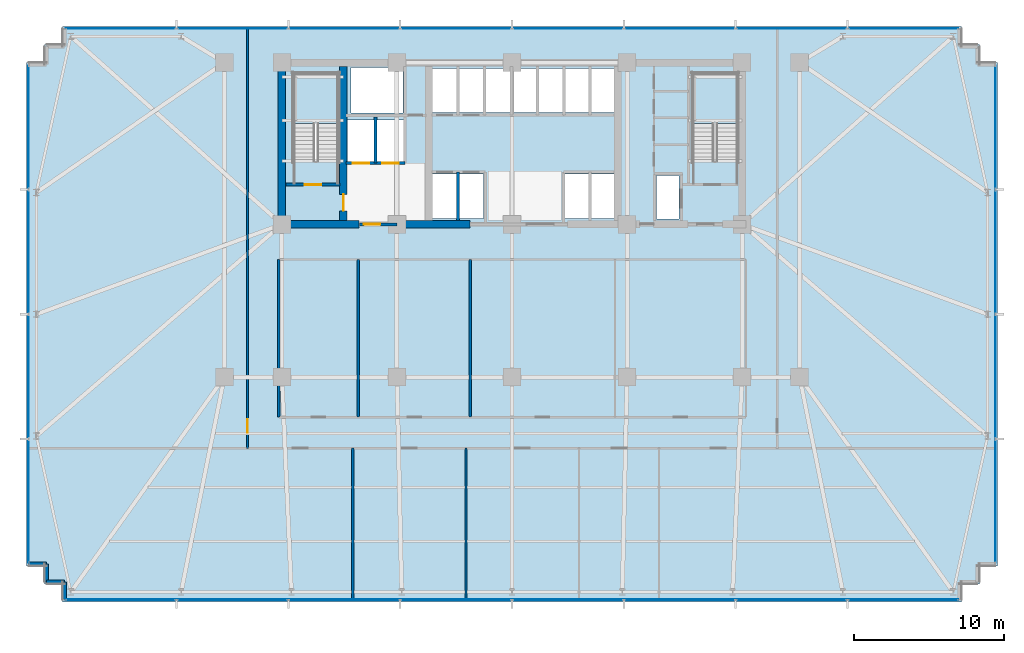
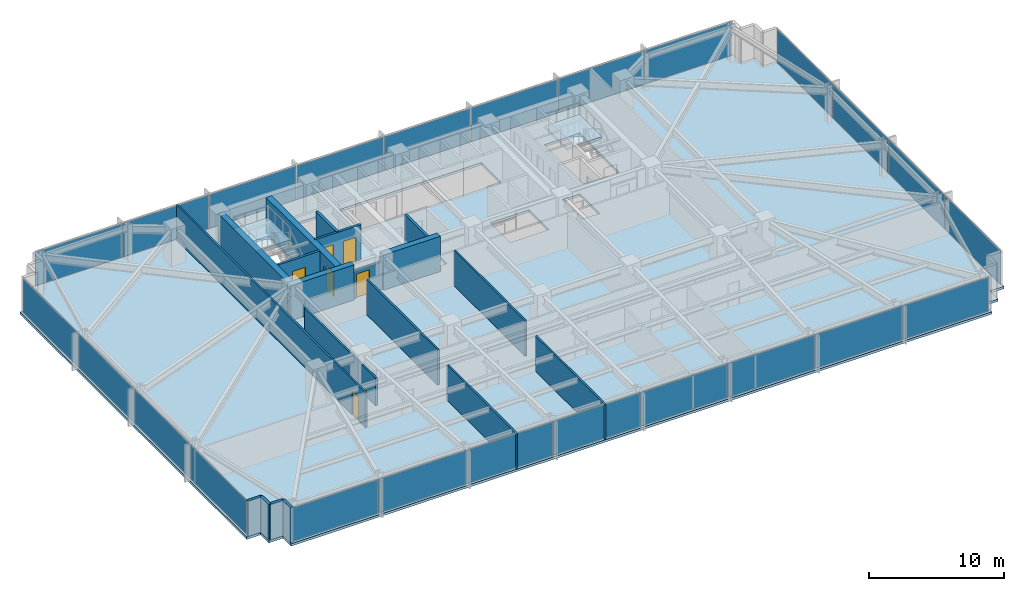
# One storey, part 24 of 33: 24 plates, 19 walls, 6 doors, 3 slabs, 6 openings, 6 elements without a shape of their own.
"""IFC4 building model written with IfcOpenShell, lengths in metres."""

from ifc_helpers import new_model, si_unit, direction, frame, frame_2d, origin, origin_2d, place, context, subcontext, project, spatial, polyline, rectangle, outline, extrude, material, layer, layer_set, type_object, element, fill, aggregate, save


model = new_model("IFC4")

# Units and contexts
model_context = context("Model", 3, precision=1e-05, world=origin(), true_north=direction((0.0, 1.0)))
body_context = subcontext(model_context, "Body", "Model", "MODEL_VIEW")
ifc_project = project(units=[si_unit("LENGTHUNIT", "METRE"), si_unit("AREAUNIT", "SQUARE_METRE"), si_unit("VOLUMEUNIT", "CUBIC_METRE"), si_unit("PLANEANGLEUNIT", "RADIAN"), si_unit("MASSUNIT", "GRAM", prefix="KILO")], contexts=[model_context])

# Site, building, storey
site_placement = place(None, origin())
site = spatial("IfcSite", under=ifc_project, at=site_placement, CompositionType="ELEMENT")
building_placement = place(site_placement, origin())
building = spatial("IfcBuilding", under=site, at=building_placement, Name="Yelkora Congress Tower", CompositionType="ELEMENT")
storey_placement = place(building_placement, frame((0.0, 0.0, 71.199951171875)))
storey = spatial("IfcBuildingStorey", under=building, at=storey_placement, Name="L18", CompositionType="ELEMENT", Elevation=71.199951171875)

# Curtain wall, plates
ifc_material_1 = material(Name="Anodised aluminium and insulated glass", Category="aluminium")
curtain_wall_type = type_object("IfcCurtainWallType", Name="CW-SYS-B1", PredefinedType="NOTDEFINED", material=ifc_material_1)
curtain_wall_1_placement = place(storey_placement, origin())
curtain_wall_1 = element("IfcCurtainWall", 1, at=curtain_wall_1_placement, inside=storey, type_object=curtain_wall_type, Name="L18 Unitised Curtain Wall 5", PredefinedType="NOTDEFINED")
ifc_material_2 = material(Name="Solar-control low-E glass unit B1", Category="glass")
ifc_layer_1 = layer(ifc_material_2, 0.0400390625)
ifc_layer_set_1 = layer_set([ifc_layer_1], Name="Solar-control low-E glass unit B1")
plate_type = type_object("IfcPlateType", Name="PLT-PN-B1", PredefinedType="CURTAIN_PANEL", material=ifc_layer_set_1)
plate_1_placement = place(storey_placement, frame((6.139892578125, 16.923828125, 0.06494140625), z_axis=(0.0, 0.0, 1.0), x_axis=(0.0, 1.0, 0.0)))
plate_1 = element("IfcPlate", 2, at=plate_1_placement, type_object=plate_type, Name="CW-B1 panel 1.1", PredefinedType="CURTAIN_PANEL", context=body_context, shape_type="SweptSolid", body=[
    extrude(rectangle(XDim=8.217529296875, YDim=0.0400390625, at=origin_2d()), origin(), (0.0, 0.0, 1.0), 3.050048828125),
])
plate_2_placement = place(storey_placement, frame((6.139892578125, 25.235107421875, 0.06494140625), z_axis=(0.0, 0.0, 1.0), x_axis=(0.0, 1.0, 0.0)))
plate_2 = element("IfcPlate", 3, at=plate_2_placement, type_object=plate_type, Name="CW-B1 panel 2.1", PredefinedType="CURTAIN_PANEL", context=body_context, shape_type="SweptSolid", body=[
    extrude(rectangle(XDim=8.2548828125, YDim=0.0400390625, at=origin_2d()), origin(), (0.0, 0.0, 1.0), 3.050048828125),
])
plate_3_placement = place(storey_placement, frame((6.139892578125, 33.56494140625, 0.06494140625), z_axis=(0.0, 0.0, 1.0), x_axis=(0.0, 1.0, 0.0)))
plate_3 = element("IfcPlate", 4, at=plate_3_placement, type_object=plate_type, Name="CW-B1 panel 3.1", PredefinedType="CURTAIN_PANEL", context=body_context, shape_type="SweptSolid", body=[
    extrude(rectangle(XDim=8.2548828125, YDim=0.0400390625, at=origin_2d()), origin(), (0.0, 0.0, 1.0), 3.050048828125),
])
plate_4_placement = place(storey_placement, frame((6.139892578125, 41.876220703125, 0.06494140625), z_axis=(0.0, 0.0, 1.0), x_axis=(0.0, 1.0, 0.0)))
plate_4 = element("IfcPlate", 5, at=plate_4_placement, type_object=plate_type, Name="CW-B1 panel 4.1", PredefinedType="CURTAIN_PANEL", context=body_context, shape_type="SweptSolid", body=[
    extrude(rectangle(XDim=8.217529296875, YDim=0.0400390625, at=origin_2d()), origin(), (0.0, 0.0, 1.0), 3.050048828125),
])
aggregate(curtain_wall_1, [plate_1, plate_2, plate_3, plate_4])

curtain_wall_2_placement = place(storey_placement, origin())
curtain_wall_2 = element("IfcCurtainWall", 6, at=curtain_wall_2_placement, inside=storey, type_object=curtain_wall_type, Name="L18 Unitised Curtain Wall 10", PredefinedType="NOTDEFINED")
plate_5_placement = place(storey_placement, frame((12.291259765625, 48.4599609375, 0.06494140625), z_axis=(0.0, 0.0, 1.0), x_axis=(1.0, 0.0, 0.0)))
plate_5 = element("IfcPlate", 7, at=plate_5_placement, type_object=plate_type, Name="CW-B1 panel 1.1", PredefinedType="CURTAIN_PANEL", context=body_context, shape_type="SweptSolid", body=[
    extrude(rectangle(XDim=7.3525390625, YDim=0.0400390625, at=origin_2d()), origin(), (0.0, 0.0, 1.0), 3.050048828125),
])
plate_6_placement = place(storey_placement, frame((19.737548828125, 48.4599609375, 0.06494140625), z_axis=(0.0, 0.0, 1.0), x_axis=(1.0, 0.0, 0.0)))
plate_6 = element("IfcPlate", 8, at=plate_6_placement, type_object=plate_type, Name="CW-B1 panel 2.1", PredefinedType="CURTAIN_PANEL", context=body_context, shape_type="SweptSolid", body=[
    extrude(rectangle(XDim=7.389892578125, YDim=0.0400390625, at=origin_2d()), origin(), (0.0, 0.0, 1.0), 3.050048828125),
])
plate_7_placement = place(storey_placement, frame((27.202392578125, 48.4599609375, 0.06494140625), z_axis=(0.0, 0.0, 1.0), x_axis=(1.0, 0.0, 0.0)))
plate_7 = element("IfcPlate", 9, at=plate_7_placement, type_object=plate_type, Name="CW-B1 panel 3.1", PredefinedType="CURTAIN_PANEL", context=body_context, shape_type="SweptSolid", body=[
    extrude(rectangle(XDim=7.389892578125, YDim=0.0400390625, at=origin_2d()), origin(), (0.0, 0.0, 1.0), 3.050048828125),
])
plate_8_placement = place(storey_placement, frame((34.66748046875, 48.4599609375, 0.06494140625), z_axis=(0.0, 0.0, 1.0), x_axis=(1.0, 0.0, 0.0)))
plate_8 = element("IfcPlate", 10, at=plate_8_placement, type_object=plate_type, Name="CW-B1 panel 4.1", PredefinedType="CURTAIN_PANEL", context=body_context, shape_type="SweptSolid", body=[
    extrude(rectangle(XDim=7.389892578125, YDim=0.0400390625, at=origin_2d()), origin(), (0.0, 0.0, 1.0), 3.050048828125),
])
plate_9_placement = place(storey_placement, frame((42.132568359375, 48.4599609375, 0.06494140625), z_axis=(0.0, 0.0, 1.0), x_axis=(1.0, 0.0, 0.0)))
plate_9 = element("IfcPlate", 11, at=plate_9_placement, type_object=plate_type, Name="CW-B1 panel 5.1", PredefinedType="CURTAIN_PANEL", context=body_context, shape_type="SweptSolid", body=[
    extrude(rectangle(XDim=7.389892578125, YDim=0.0400390625, at=origin_2d()), origin(), (0.0, 0.0, 1.0), 3.050048828125),
])
plate_10_placement = place(storey_placement, frame((49.597412109375, 48.4599609375, 0.06494140625), z_axis=(0.0, 0.0, 1.0), x_axis=(1.0, 0.0, 0.0)))
plate_10 = element("IfcPlate", 12, at=plate_10_placement, type_object=plate_type, Name="CW-B1 panel 6.1", PredefinedType="CURTAIN_PANEL", context=body_context, shape_type="SweptSolid", body=[
    extrude(rectangle(XDim=7.389892578125, YDim=0.0400390625, at=origin_2d()), origin(), (0.0, 0.0, 1.0), 3.050048828125),
])
plate_11_placement = place(storey_placement, frame((57.0625, 48.4599609375, 0.06494140625), z_axis=(0.0, 0.0, 1.0), x_axis=(1.0, 0.0, 0.0)))
plate_11 = element("IfcPlate", 13, at=plate_11_placement, type_object=plate_type, Name="CW-B1 panel 7.1", PredefinedType="CURTAIN_PANEL", context=body_context, shape_type="SweptSolid", body=[
    extrude(rectangle(XDim=7.389892578125, YDim=0.0400390625, at=origin_2d()), origin(), (0.0, 0.0, 1.0), 3.050048828125),
])
plate_12_placement = place(storey_placement, frame((64.5087890625, 48.4599609375, 0.06494140625), z_axis=(0.0, 0.0, 1.0), x_axis=(1.0, 0.0, 0.0)))
plate_12 = element("IfcPlate", 14, at=plate_12_placement, type_object=plate_type, Name="CW-B1 panel 8.1", PredefinedType="CURTAIN_PANEL", context=body_context, shape_type="SweptSolid", body=[
    extrude(rectangle(XDim=7.3525390625, YDim=0.0400390625, at=origin_2d()), origin(), (0.0, 0.0, 1.0), 3.050048828125),
])
aggregate(curtain_wall_2, [plate_5, plate_6, plate_7, plate_8, plate_9, plate_10, plate_11, plate_12])

curtain_wall_3_placement = place(storey_placement, origin())
curtain_wall_3 = element("IfcCurtainWall", 15, at=curtain_wall_3_placement, inside=storey, type_object=curtain_wall_type, Name="L18 Unitised Curtain Wall 15", PredefinedType="NOTDEFINED")
plate_13_placement = place(storey_placement, frame((70.659912109375, 41.876220703125, 0.06494140625), z_axis=(0.0, 0.0, 1.0), x_axis=(0.0, -1.0, 0.0)))
plate_13 = element("IfcPlate", 16, at=plate_13_placement, type_object=plate_type, Name="CW-B1 panel 1.1", PredefinedType="CURTAIN_PANEL", context=body_context, shape_type="SweptSolid", body=[
    extrude(rectangle(XDim=8.217529296875, YDim=0.0400390625, at=origin_2d()), origin(), (0.0, 0.0, 1.0), 3.050048828125),
])
plate_14_placement = place(storey_placement, frame((70.659912109375, 33.56494140625, 0.06494140625), z_axis=(0.0, 0.0, 1.0), x_axis=(0.0, -1.0, 0.0)))
plate_14 = element("IfcPlate", 17, at=plate_14_placement, type_object=plate_type, Name="CW-B1 panel 2.1", PredefinedType="CURTAIN_PANEL", context=body_context, shape_type="SweptSolid", body=[
    extrude(rectangle(XDim=8.2548828125, YDim=0.0400390625, at=origin_2d()), origin(), (0.0, 0.0, 1.0), 3.050048828125),
])
plate_15_placement = place(storey_placement, frame((70.659912109375, 25.235107421875, 0.06494140625), z_axis=(0.0, 0.0, 1.0), x_axis=(0.0, -1.0, 0.0)))
plate_15 = element("IfcPlate", 18, at=plate_15_placement, type_object=plate_type, Name="CW-B1 panel 3.1", PredefinedType="CURTAIN_PANEL", context=body_context, shape_type="SweptSolid", body=[
    extrude(rectangle(XDim=8.2548828125, YDim=0.0400390625, at=origin_2d()), origin(), (0.0, 0.0, 1.0), 3.050048828125),
])
plate_16_placement = place(storey_placement, frame((70.659912109375, 16.923828125, 0.06494140625), z_axis=(0.0, 0.0, 1.0), x_axis=(0.0, -1.0, 0.0)))
plate_16 = element("IfcPlate", 19, at=plate_16_placement, type_object=plate_type, Name="CW-B1 panel 4.1", PredefinedType="CURTAIN_PANEL", context=body_context, shape_type="SweptSolid", body=[
    extrude(rectangle(XDim=8.217529296875, YDim=0.0400390625, at=origin_2d()), origin(), (0.0, 0.0, 1.0), 3.050048828125),
])
aggregate(curtain_wall_3, [plate_13, plate_14, plate_15, plate_16])

curtain_wall_4_placement = place(storey_placement, origin())
curtain_wall_4 = element("IfcCurtainWall", 20, at=curtain_wall_4_placement, inside=storey, type_object=curtain_wall_type, Name="L18 Unitised Curtain Wall 20", PredefinedType="NOTDEFINED")
plate_17_placement = place(storey_placement, frame((64.5087890625, 10.340087890625, 0.06494140625), z_axis=(0.0, 0.0, 1.0), x_axis=(-1.0, 0.0, 0.0)))
plate_17 = element("IfcPlate", 21, at=plate_17_placement, type_object=plate_type, Name="CW-B1 panel 1.1", PredefinedType="CURTAIN_PANEL", context=body_context, shape_type="SweptSolid", body=[
    extrude(rectangle(XDim=7.3525390625, YDim=0.0400390625, at=origin_2d()), origin(), (0.0, 0.0, 1.0), 3.050048828125),
])
plate_18_placement = place(storey_placement, frame((57.0625, 10.340087890625, 0.06494140625), z_axis=(0.0, 0.0, 1.0), x_axis=(-1.0, 0.0, 0.0)))
plate_18 = element("IfcPlate", 22, at=plate_18_placement, type_object=plate_type, Name="CW-B1 panel 2.1", PredefinedType="CURTAIN_PANEL", context=body_context, shape_type="SweptSolid", body=[
    extrude(rectangle(XDim=7.389892578125, YDim=0.0400390625, at=origin_2d()), origin(), (0.0, 0.0, 1.0), 3.050048828125),
])
plate_19_placement = place(storey_placement, frame((49.597412109375, 10.340087890625, 0.06494140625), z_axis=(0.0, 0.0, 1.0), x_axis=(-1.0, 0.0, 0.0)))
plate_19 = element("IfcPlate", 23, at=plate_19_placement, type_object=plate_type, Name="CW-B1 panel 3.1", PredefinedType="CURTAIN_PANEL", context=body_context, shape_type="SweptSolid", body=[
    extrude(rectangle(XDim=7.389892578125, YDim=0.0400390625, at=origin_2d()), origin(), (0.0, 0.0, 1.0), 3.050048828125),
])
plate_20_placement = place(storey_placement, frame((42.132568359375, 10.340087890625, 0.06494140625), z_axis=(0.0, 0.0, 1.0), x_axis=(-1.0, 0.0, 0.0)))
plate_20 = element("IfcPlate", 24, at=plate_20_placement, type_object=plate_type, Name="CW-B1 panel 4.1", PredefinedType="CURTAIN_PANEL", context=body_context, shape_type="SweptSolid", body=[
    extrude(rectangle(XDim=7.389892578125, YDim=0.0400390625, at=origin_2d()), origin(), (0.0, 0.0, 1.0), 3.050048828125),
])
plate_21_placement = place(storey_placement, frame((34.66748046875, 10.340087890625, 0.06494140625), z_axis=(0.0, 0.0, 1.0), x_axis=(-1.0, 0.0, 0.0)))
plate_21 = element("IfcPlate", 25, at=plate_21_placement, type_object=plate_type, Name="CW-B1 panel 5.1", PredefinedType="CURTAIN_PANEL", context=body_context, shape_type="SweptSolid", body=[
    extrude(rectangle(XDim=7.389892578125, YDim=0.0400390625, at=origin_2d()), origin(), (0.0, 0.0, 1.0), 3.050048828125),
])
plate_22_placement = place(storey_placement, frame((27.202392578125, 10.340087890625, 0.06494140625), z_axis=(0.0, 0.0, 1.0), x_axis=(-1.0, 0.0, 0.0)))
plate_22 = element("IfcPlate", 26, at=plate_22_placement, type_object=plate_type, Name="CW-B1 panel 6.1", PredefinedType="CURTAIN_PANEL", context=body_context, shape_type="SweptSolid", body=[
    extrude(rectangle(XDim=7.389892578125, YDim=0.0400390625, at=origin_2d()), origin(), (0.0, 0.0, 1.0), 3.050048828125),
])
plate_23_placement = place(storey_placement, frame((19.737548828125, 10.340087890625, 0.06494140625), z_axis=(0.0, 0.0, 1.0), x_axis=(-1.0, 0.0, 0.0)))
plate_23 = element("IfcPlate", 27, at=plate_23_placement, type_object=plate_type, Name="CW-B1 panel 7.1", PredefinedType="CURTAIN_PANEL", context=body_context, shape_type="SweptSolid", body=[
    extrude(rectangle(XDim=7.389892578125, YDim=0.0400390625, at=origin_2d()), origin(), (0.0, 0.0, 1.0), 3.050048828125),
])
plate_24_placement = place(storey_placement, frame((12.291259765625, 10.340087890625, 0.06494140625), z_axis=(0.0, 0.0, 1.0), x_axis=(-1.0, 0.0, 0.0)))
plate_24 = element("IfcPlate", 28, at=plate_24_placement, type_object=plate_type, Name="CW-B1 panel 8.1", PredefinedType="CURTAIN_PANEL", context=body_context, shape_type="SweptSolid", body=[
    extrude(rectangle(XDim=7.3525390625, YDim=0.0400390625, at=origin_2d()), origin(), (0.0, 0.0, 1.0), 3.050048828125),
])
aggregate(curtain_wall_4, [plate_17, plate_18, plate_19, plate_20, plate_21, plate_22, plate_23, plate_24])

# Stair, slab
ifc_material_3 = material(Name="Concrete C40/50", Category="concrete")
stair_type = type_object("IfcStairType", Name="STAIR-HT-1420-R20-170", PredefinedType="HALF_TURN_STAIR", material=ifc_material_3)
stair_1_placement = place(storey_placement, origin())
stair_1 = element("IfcStair", 29, at=stair_1_placement, inside=storey, type_object=stair_type, Name="West Core Protected Exit Stair ST-01 (L18)", PredefinedType="HALF_TURN_STAIR")
ifc_layer_2 = layer(ifc_material_3, 0.219970703125)
ifc_layer_set_2 = layer_set([ifc_layer_2], Name="Concrete C40/50")
slab_type_1 = type_object("IfcSlabType", Name="SLAB-LANDING-220", PredefinedType="LANDING", material=ifc_layer_set_2)
slab_1_placement = place(storey_placement, frame((0.0, 0.0, 1.47998046875)))
slab_1 = element("IfcSlab", 30, at=slab_1_placement, type_object=slab_type_1, Name="ST-01 L18 Half Landing 1", PredefinedType="LANDING", context=body_context, shape_type="SweptSolid", body=[
    extrude(outline(polyline([(26.820068359375, 42.1201171875), (26.820068359375, 45.469970703125), (23.820068359375, 45.469970703125), (23.820068359375, 42.1201171875), (26.820068359375, 42.1201171875)])), origin(), (0.0, 0.0, 1.0), 0.219970703125),
])
aggregate(stair_1, [slab_1])

stair_2_placement = place(storey_placement, origin())
stair_2 = element("IfcStair", 31, at=stair_2_placement, inside=storey, type_object=stair_type, Name="East Core Protected Exit Stair ST-02 (L18)", PredefinedType="HALF_TURN_STAIR")
slab_2_placement = place(storey_placement, frame((0.0, 0.0, 1.47998046875)))
slab_2 = element("IfcSlab", 32, at=slab_2_placement, type_object=slab_type_1, Name="ST-02 L18 Half Landing 1", PredefinedType="LANDING", context=body_context, shape_type="SweptSolid", body=[
    extrude(outline(polyline([(53.4599609375, 42.1201171875), (53.4599609375, 45.469970703125), (50.4599609375, 45.469970703125), (50.4599609375, 42.1201171875), (53.4599609375, 42.1201171875)])), origin(), (0.0, 0.0, 1.0), 0.219970703125),
])
aggregate(stair_2, [slab_2])

# Slab
ifc_layer_3 = layer(ifc_material_3, 0.219970703125)
ifc_layer_set_3 = layer_set([ifc_layer_3], Name="Concrete C40/50")
slab_type_2 = type_object("IfcSlabType", Name="SLAB-TWR-220", PredefinedType="FLOOR", material=ifc_layer_set_3)
slab_3_placement = place(storey_placement, frame((0.0, 0.0, -0.219970703125)))
element("IfcSlab", 33, at=slab_3_placement, inside=storey, type_object=slab_type_2, Name="L18 Structural Floor Slab", PredefinedType="FLOOR", context=body_context, shape_type="SweptSolid", body=[
    extrude(outline(polyline([(8.39990234375, 10.199951171875), (68.39990234375, 10.199951171875), (68.39990234375, 11.39990234375), (69.60009765625, 11.39990234375), (69.60009765625, 12.60009765625), (70.800048828125, 12.60009765625), (70.800048828125, 46.199951171875), (69.60009765625, 46.199951171875), (69.60009765625, 47.39990234375), (68.39990234375, 47.39990234375), (68.39990234375, 48.60009765625), (8.39990234375, 48.60009765625), (8.39990234375, 47.39990234375), (7.199951171875, 47.39990234375), (7.199951171875, 46.199951171875), (6.0, 46.199951171875), (6.0, 12.60009765625), (7.199951171875, 12.60009765625), (7.199951171875, 11.39990234375), (8.39990234375, 11.39990234375), (8.39990234375, 10.199951171875)]), holes=[polyline([(23.820068359375, 39.6298828125), (26.820068359375, 39.6298828125), (26.820068359375, 45.469970703125), (23.820068359375, 45.469970703125), (23.820068359375, 39.6298828125)]), polyline([(50.4599609375, 39.6298828125), (53.4599609375, 39.6298828125), (53.4599609375, 45.469970703125), (50.4599609375, 45.469970703125), (50.4599609375, 39.6298828125)]), polyline([(48.050048828125, 35.75), (49.550048828125, 35.75), (49.550048828125, 38.64990234375), (48.050048828125, 38.64990234375), (48.050048828125, 35.75)]), polyline([(41.949951171875, 35.800048828125), (45.25, 35.800048828125), (45.25, 38.75), (41.949951171875, 38.75), (41.949951171875, 35.800048828125)]), polyline([(33.10009765625, 42.85009765625), (45.25, 42.85009765625), (45.25, 45.800048828125), (33.10009765625, 45.800048828125), (33.10009765625, 42.85009765625)]), polyline([(33.10009765625, 35.800048828125), (36.5, 35.800048828125), (36.5, 38.75), (33.10009765625, 38.75), (33.10009765625, 35.800048828125)]), polyline([(27.419921875, 39.60009765625), (31.179931640625, 39.60009765625), (31.179931640625, 42.35009765625), (27.419921875, 42.35009765625), (27.419921875, 39.60009765625)]), polyline([(27.64990234375, 42.820068359375), (31.1201171875, 42.820068359375), (31.1201171875, 45.8798828125), (27.64990234375, 45.8798828125), (27.64990234375, 42.820068359375)])]), origin(), (0.0, 0.0, 1.0), 0.219970703125),
])

# Walls
ifc_material_4 = material(Name="Concrete C60/75", Category="concrete")
ifc_layer_4 = layer(ifc_material_4, 0.5)
ifc_layer_set_4 = layer_set([ifc_layer_4], Name="Concrete C60/75")
wall_type_1 = type_object("IfcWallType", Name="WALL-CORE-INT-500", PredefinedType="SHEAR", material=ifc_layer_set_4)
wall_1_placement = place(storey_placement, frame((22.7900390625, 35.39990234375, 0.0), z_axis=(0.0, 0.0, 1.0), x_axis=(1.0, 0.0, 0.0)))
element("IfcWall", 34, at=wall_1_placement, inside=storey, type_object=wall_type_1, Name="L18 Rear Core South-West Shear Wall", PredefinedType="SHEAR", context=body_context, shape_type="SweptSolid", body=[
    extrude(rectangle(XDim=5.409912109375, YDim=0.5, at=frame_2d((2.705078125, 0.0))), origin(), (0.0, 0.0, 1.0), 3.179931640625),
])
wall_2_placement = place(storey_placement, frame((30.719970703125, 35.39990234375, 0.0), z_axis=(0.0, 0.0, 1.0), x_axis=(1.0, 0.0, 0.0)))
element("IfcWall", 35, at=wall_2_placement, inside=storey, type_object=wall_type_1, Name="L18 Rear Core South-Center Shear Pier", PredefinedType="SHEAR", context=body_context, shape_type="SweptSolid", body=[
    extrude(rectangle(XDim=4.880126953125, YDim=0.5, at=frame_2d((2.43994140625, 0.0))), origin(), (0.0, 0.0, 1.0), 3.179931640625),
])
wall_3_placement = place(storey_placement, frame((23.0400390625, 35.64990234375, 0.0), z_axis=(0.0, 0.0, 1.0), x_axis=(0.0, 1.0, 0.0)))
element("IfcWall", 36, at=wall_3_placement, inside=storey, type_object=wall_type_1, Name="L18 Rear Core Cross Shear Wall W", PredefinedType="SHEAR", context=body_context, shape_type="SweptSolid", body=[
    extrude(rectangle(XDim=10.300048828125, YDim=0.5, at=frame_2d((5.14990234375, 0.0))), origin(), (0.0, 0.0, 1.0), 3.179931640625),
])

# Wall, opening, door
wall_4_placement = place(storey_placement, frame((27.14990234375, 35.64990234375, 0.0), z_axis=(0.0, 0.0, 1.0), x_axis=(0.0, 1.0, 0.0)))
wall_4 = element("IfcWall", 37, at=wall_4_placement, inside=storey, type_object=wall_type_1, Name="L18 Rear Core Cross Shear Wall C1", PredefinedType="SHEAR", context=body_context, shape_type="SweptSolid", body=[
    extrude(rectangle(XDim=10.300048828125, YDim=0.5, at=frame_2d((5.14990234375, 0.0))), origin(), (0.0, 0.0, 1.0), 3.179931640625),
])
opening_1_placement = place(wall_4_placement, frame((0.64990234375, 0.0, 0.0)))
opening_1 = element("IfcOpeningElement", 38, at=opening_1_placement, cuts=wall_4, Name="Opening DR-110F9", PredefinedType="OPENING", context=body_context, shape_type="SweptSolid", body=[
    extrude(rectangle(XDim=1.10009765625, YDim=2.14990234375, at=frame_2d((0.550048828125, 1.074951171875))), frame((0.0, 0.260009765625, 0.0), z_axis=(0.0, -1.0, 0.0), x_axis=(1.0, 0.0, 0.0)), (0.0, 0.0, 1.0), 0.52001953125),
])
ifc_material_5 = material(Name="Galvanised steel fire door leaf", Category="steel")
door_type_1 = type_object("IfcDoorType", Name="DOOR-FD90-1100", OperationType="NOTDEFINED", PredefinedType="DOOR", material=ifc_material_5)
door_1_placement = place(opening_1_placement, origin())
door_1 = element("IfcDoor", 39, at=door_1_placement, inside=storey, type_object=door_type_1, Name="L18 Firefighting Stair Transfer Door", OperationType="SINGLE_SWING_LEFT", OverallHeight=2.14990234375, OverallWidth=1.10009765625, PredefinedType="DOOR", context=body_context, shape_type="SweptSolid", body=[
    extrude(rectangle(XDim=1.10009765625, YDim=2.14990234375, at=frame_2d((0.550048828125, 1.074951171875))), frame((0.0, 0.02490234375, 0.0), z_axis=(0.0, -1.0, 0.0), x_axis=(1.0, 0.0, 0.0)), (0.0, 0.0, 1.0), 0.050048828125),
])
fill(opening_1, door_1)

# Walls
ifc_layer_5 = layer(ifc_material_3, 0.239990234375)
ifc_layer_set_5 = layer_set([ifc_layer_5], Name="Concrete C40/50")
wall_type_2 = type_object("IfcWallType", Name="WALL-EXT-LIMESTONE-240", PredefinedType="SOLIDWALL", material=ifc_layer_set_5)
for number, where, z_axis, x_axis, name in (
    (40, (8.5400390625, 10.340087890625, 0.0), (0.0, 0.0, 1.0), (0.0, 1.0, 0.0), "L18 Serrated Corner Limestone Pier 1"),
    (41, (8.5400390625, 11.5400390625, 0.0), (0.0, 0.0, 1.0), (-1.0, 0.0, 0.0), "L18 Serrated Corner Limestone Pier 2"),
    (42, (7.340087890625, 11.5400390625, 0.0), (0.0, 0.0, 1.0), (0.0, 1.0, 0.0), "L18 Serrated Corner Limestone Pier 3"),
):
    element("IfcWall", number, at=place(storey_placement, frame(where, z_axis=z_axis, x_axis=x_axis)), inside=storey, type_object=wall_type_2, Name=name, PredefinedType="SOLIDWALL", context=body_context, shape_type="SweptSolid", body=[
        extrude(rectangle(XDim=1.199951171875, YDim=0.239990234375, at=frame_2d((0.60009765625, 0.0))), origin(), (0.0, 0.0, 1.0), 3.179931640625),
    ])
wall_5_placement = place(storey_placement, frame((7.340087890625, 12.739990234375, 0.0), z_axis=(0.0, 0.0, 1.0), x_axis=(-1.0, 0.0, 0.0)))
element("IfcWall", 43, at=wall_5_placement, inside=storey, type_object=wall_type_2, Name="L18 Serrated Corner Limestone Pier 4", PredefinedType="SOLIDWALL", context=body_context, shape_type="SweptSolid", body=[
    extrude(rectangle(XDim=1.2001953125, YDim=0.239990234375, at=frame_2d((0.60009765625, 0.0))), origin(), (0.0, 0.0, 1.0), 3.179931640625),
])
ifc_material_6 = material(Name="Acoustic metal-stud gypsum partition", Category="gypsum")
ifc_layer_6 = layer(ifc_material_6, 0.14990234375)
ifc_layer_set_6 = layer_set([ifc_layer_6], Name="Acoustic metal-stud gypsum partition")
wall_type_3 = type_object("IfcWallType", Name="WALL-INT-150-NR", PredefinedType="PARTITIONING", material=ifc_layer_set_6)
for number, where, z_axis, x_axis, name in (
    (44, (27.77587890625, 10.280029296875, 0.0), (0.0, 0.0, 1.0), (0.0, 1.0, 0.0), "L18 Partition Wall 32"),
    (45, (35.323974609375, 10.280029296875, 0.0), (0.0, 0.0, 1.0), (0.0, 1.0, 0.0), "L18 Partition Wall 33"),
):
    element("IfcWall", number, at=place(storey_placement, frame(where, z_axis=z_axis, x_axis=x_axis)), inside=storey, type_object=wall_type_3, Name=name, PredefinedType="PARTITIONING", context=body_context, shape_type="SweptSolid", body=[
        extrude(rectangle(XDim=10.18994140625, YDim=0.14990234375, at=frame_2d((5.094970703125, 0.0))), origin(), (0.0, 0.0, 1.0), 3.179931640625),
    ])

# Wall, opening, door
wall_6_placement = place(storey_placement, frame((20.75, 20.449951171875, 0.0), z_axis=(0.0, 0.0, 1.0), x_axis=(0.0, 1.0, 0.0)))
wall_6 = element("IfcWall", 46, at=wall_6_placement, inside=storey, type_object=wall_type_3, Name="L18 Partition Wall 37", PredefinedType="PARTITIONING", context=body_context, shape_type="SweptSolid", body=[
    extrude(rectangle(XDim=28.070068359375, YDim=0.14990234375, at=frame_2d((14.03515625, 0.0))), origin(), (0.0, 0.0, 1.0), 3.179931640625),
])
opening_2_placement = place(wall_6_placement, frame((1.030029296875, 0.0, 0.0)))
opening_2 = element("IfcOpeningElement", 47, at=opening_2_placement, cuts=wall_6, Name="Opening DR-090N", PredefinedType="OPENING", context=body_context, shape_type="SweptSolid", body=[
    extrude(rectangle(XDim=0.89990234375, YDim=2.14990234375, at=frame_2d((0.449951171875, 1.074951171875))), frame((0.0, 0.0849609375, 0.0), z_axis=(0.0, -1.0, 0.0), x_axis=(1.0, 0.0, 0.0)), (0.0, 0.0, 1.0), 0.169921875),
])
ifc_material_7 = material(Name="Moisture-resistant laminate door leaf", Category="wood")
door_type_2 = type_object("IfcDoorType", Name="DOOR-INT-900", OperationType="NOTDEFINED", PredefinedType="DOOR", material=ifc_material_7)
door_2_placement = place(opening_2_placement, origin())
door_2 = element("IfcDoor", 48, at=door_2_placement, inside=storey, type_object=door_type_2, Name="L18 W Wing Door", OperationType="SINGLE_SWING_LEFT", OverallHeight=2.14990234375, OverallWidth=0.89990234375, PredefinedType="DOOR", context=body_context, shape_type="SweptSolid", body=[
    extrude(rectangle(XDim=0.89990234375, YDim=2.14990234375, at=frame_2d((0.449951171875, 1.074951171875))), frame((0.0, 0.02490234375, 0.0), z_axis=(0.0, -1.0, 0.0), x_axis=(1.0, 0.0, 0.0)), (0.0, 0.0, 1.0), 0.050048828125),
])
fill(opening_2, door_2)

# Walls
wall_7_placement = place(storey_placement, frame((22.830078125, 22.530029296875, 0.0), z_axis=(0.0, 0.0, 1.0), x_axis=(0.0, 1.0, 0.0)))
element("IfcWall", 49, at=wall_7_placement, inside=storey, type_object=wall_type_3, Name="L18 Partition Wall 39", PredefinedType="PARTITIONING", context=body_context, shape_type="SweptSolid", body=[
    extrude(rectangle(XDim=10.52001953125, YDim=0.14990234375, at=frame_2d((5.260009765625, 0.0))), origin(), (0.0, 0.0, 1.0), 2.47509765625),
])
for number, where, z_axis, x_axis, name in (
    (50, (28.138916015625, 22.530029296875, 0.0), (0.0, 0.0, 1.0), (0.0, 1.0, 0.0), "L18 Partition Wall 42"),
    (51, (35.6201171875, 22.530029296875, 0.0), (0.0, 0.0, 1.0), (0.0, 1.0, 0.0), "L18 Partition Wall 43"),
):
    element("IfcWall", number, at=place(storey_placement, frame(where, z_axis=z_axis, x_axis=x_axis)), inside=storey, type_object=wall_type_3, Name=name, PredefinedType="PARTITIONING", context=body_context, shape_type="SweptSolid", body=[
        extrude(rectangle(XDim=10.52001953125, YDim=0.14990234375, at=frame_2d((5.260009765625, 0.0))), origin(), (0.0, 0.0, 1.0), 3.179931640625),
    ])

# Wall, opening, door
ifc_material_8 = material(Name="Autoclaved aerated concrete blockwork", Category="masonry")
ifc_layer_7 = layer(ifc_material_8, 0.199951171875)
ifc_layer_set_7 = layer_set([ifc_layer_7], Name="Autoclaved aerated concrete blockwork")
wall_type_4 = type_object("IfcWallType", Name="WALL-INT-200-R120", PredefinedType="PARTITIONING", material=ifc_layer_set_7)
wall_8_placement = place(storey_placement, frame((23.300048828125, 38.050048828125, 0.0), z_axis=(0.0, 0.0, 1.0), x_axis=(1.0, 0.0, 0.0)))
wall_8 = element("IfcWall", 52, at=wall_8_placement, inside=storey, type_object=wall_type_4, Name="L18 Stair ST-01 Enclosure Wall", PredefinedType="PARTITIONING", context=body_context, shape_type="SweptSolid", body=[
    extrude(rectangle(XDim=3.619873046875, YDim=0.199951171875, at=frame_2d((1.81005859375, 0.0))), origin(), (0.0, 0.0, 1.0), 3.179931640625),
])
opening_3_placement = place(wall_8_placement, frame((1.260009765625, 0.0, 0.0)))
opening_3 = element("IfcOpeningElement", 53, at=opening_3_placement, cuts=wall_8, Name="Opening DR-110F9", PredefinedType="OPENING", context=body_context, shape_type="SweptSolid", body=[
    extrude(rectangle(XDim=1.10009765625, YDim=2.14990234375, at=frame_2d((0.550048828125, 1.074951171875))), frame((0.0, 0.10986328125, 0.0), z_axis=(0.0, -1.0, 0.0), x_axis=(1.0, 0.0, 0.0)), (0.0, 0.0, 1.0), 0.219970703125),
])
door_3_placement = place(opening_3_placement, origin())
door_3 = element("IfcDoor", 54, at=door_3_placement, inside=storey, type_object=door_type_1, Name="L18 Stair ST-01 Entry Door", OperationType="SINGLE_SWING_LEFT", OverallHeight=2.14990234375, OverallWidth=1.10009765625, PredefinedType="DOOR", context=body_context, shape_type="SweptSolid", body=[
    extrude(rectangle(XDim=1.10009765625, YDim=2.14990234375, at=frame_2d((0.550048828125, 1.074951171875))), frame((0.0, 0.02490234375, 0.0), z_axis=(0.0, -1.0, 0.0), x_axis=(1.0, 0.0, 0.0)), (0.0, 0.0, 1.0), 0.050048828125),
])
fill(opening_3, door_3)

wall_9_placement = place(storey_placement, frame((28.219970703125, 35.39990234375, 0.0), z_axis=(0.0, 0.0, 1.0), x_axis=(1.0, 0.0, 0.0)))
wall_9 = element("IfcWall", 55, at=wall_9_placement, inside=storey, type_object=wall_type_4, Name="L18 Firefighting Lobby South Wall", PredefinedType="PARTITIONING", context=body_context, shape_type="SweptSolid", body=[
    extrude(rectangle(XDim=2.5, YDim=0.199951171875, at=frame_2d((1.25, 0.0))), origin(), (0.0, 0.0, 1.0), 2.47509765625),
])
opening_4_placement = place(wall_9_placement, frame((0.300048828125, 0.0, 0.0)))
opening_4 = element("IfcOpeningElement", 56, at=opening_4_placement, cuts=wall_9, Name="Opening DR-110F9", PredefinedType="OPENING", context=body_context, shape_type="SweptSolid", body=[
    extrude(rectangle(XDim=1.10009765625, YDim=2.14990234375, at=frame_2d((0.550048828125, 1.074951171875))), frame((0.0, 0.10986328125, 0.0), z_axis=(0.0, -1.0, 0.0), x_axis=(1.0, 0.0, 0.0)), (0.0, 0.0, 1.0), 0.219970703125),
])
door_4_placement = place(opening_4_placement, origin())
door_4 = element("IfcDoor", 57, at=door_4_placement, inside=storey, type_object=door_type_1, Name="L18 Firefighting Lobby Corridor Door", OperationType="SINGLE_SWING_RIGHT", OverallHeight=2.14990234375, OverallWidth=1.10009765625, PredefinedType="DOOR", context=body_context, shape_type="SweptSolid", body=[
    extrude(rectangle(XDim=1.10009765625, YDim=2.14990234375, at=frame_2d((0.550048828125, 1.074951171875))), frame((0.0, 0.02490234375, 0.0), z_axis=(0.0, -1.0, 0.0), x_axis=(1.0, 0.0, 0.0)), (0.0, 0.0, 1.0), 0.050048828125),
])
fill(opening_4, door_4)

# Wall, openings, doors
wall_10_placement = place(storey_placement, frame((27.320068359375, 39.47998046875, 0.0), z_axis=(0.0, 0.0, 1.0), x_axis=(1.0, 0.0, 0.0)))
wall_10 = element("IfcWall", 58, at=wall_10_placement, inside=storey, type_object=wall_type_4, Name="L18 Firefighting Lift Front Wall", PredefinedType="PARTITIONING", context=body_context, shape_type="SweptSolid", body=[
    extrude(rectangle(XDim=3.93994140625, YDim=0.199951171875, at=frame_2d((1.969970703125, 0.0))), origin(), (0.0, 0.0, 1.0), 3.179931640625),
])
opening_5_placement = place(wall_10_placement, frame((0.449951171875, 0.0, 0.0)))
opening_5 = element("IfcOpeningElement", 59, at=opening_5_placement, cuts=wall_10, Name="Opening LD-FF11", PredefinedType="OPENING", context=body_context, shape_type="SweptSolid", body=[
    extrude(rectangle(XDim=1.10009765625, YDim=2.199951171875, at=frame_2d((0.550048828125, 1.10009765625))), frame((0.0, 0.10986328125, 0.0), z_axis=(0.0, -1.0, 0.0), x_axis=(1.0, 0.0, 0.0)), (0.0, 0.0, 1.0), 0.219970703125),
])
opening_6_placement = place(wall_10_placement, frame((2.409912109375, 0.0, 0.0)))
opening_6 = element("IfcOpeningElement", 60, at=opening_6_placement, cuts=wall_10, Name="Opening LD-FF11", PredefinedType="OPENING", context=body_context, shape_type="SweptSolid", body=[
    extrude(rectangle(XDim=1.10009765625, YDim=2.199951171875, at=frame_2d((0.550048828125, 1.10009765625))), frame((0.0, 0.10986328125, 0.0), z_axis=(0.0, -1.0, 0.0), x_axis=(1.0, 0.0, 0.0)), (0.0, 0.0, 1.0), 0.219970703125),
])
ifc_material_9 = material(Name="Brushed stainless steel 316L landing door", Category="steel")
door_type_3 = type_object("IfcDoorType", Name="DOOR-LIFT-FF-1100", OperationType="DOUBLE_DOOR_SLIDING", PredefinedType="DOOR", material=ifc_material_9)
door_5_placement = place(opening_5_placement, origin())
door_5 = element("IfcDoor", 61, at=door_5_placement, inside=storey, type_object=door_type_3, Name="Lift Landing Door LF-FF1 L18", OperationType="DOUBLE_DOOR_SLIDING", OverallHeight=2.199951171875, OverallWidth=1.10009765625, PredefinedType="DOOR", context=body_context, shape_type="SweptSolid", body=[
    extrude(rectangle(XDim=1.10009765625, YDim=2.199951171875, at=frame_2d((0.550048828125, 1.10009765625))), frame((0.0, 0.02490234375, 0.0), z_axis=(0.0, -1.0, 0.0), x_axis=(1.0, 0.0, 0.0)), (0.0, 0.0, 1.0), 0.050048828125),
])
fill(opening_5, door_5)
door_6_placement = place(opening_6_placement, origin())
door_6 = element("IfcDoor", 62, at=door_6_placement, inside=storey, type_object=door_type_3, Name="Lift Landing Door LF-FF2 L18", OperationType="DOUBLE_DOOR_SLIDING", OverallHeight=2.199951171875, OverallWidth=1.10009765625, PredefinedType="DOOR", context=body_context, shape_type="SweptSolid", body=[
    extrude(rectangle(XDim=1.10009765625, YDim=2.199951171875, at=frame_2d((0.550048828125, 1.10009765625))), frame((0.0, 0.02490234375, 0.0), z_axis=(0.0, -1.0, 0.0), x_axis=(1.0, 0.0, 0.0)), (0.0, 0.0, 1.0), 0.050048828125),
])
fill(opening_6, door_6)

# Walls
wall_11_placement = place(storey_placement, frame((29.300048828125, 39.47998046875, 0.0), z_axis=(0.0, 0.0, 1.0), x_axis=(0.0, 1.0, 0.0)))
element("IfcWall", 63, at=wall_11_placement, inside=storey, type_object=wall_type_4, Name="L18 Partition Wall 4", PredefinedType="PARTITIONING", context=body_context, shape_type="SweptSolid", body=[
    extrude(rectangle(XDim=3.070068359375, YDim=0.199951171875, at=frame_2d((1.53515625, 0.0))), origin(), (0.0, 0.0, 1.0), 3.179931640625),
])
wall_12_placement = place(storey_placement, frame((34.800048828125, 35.64990234375, 0.0), z_axis=(0.0, 0.0, 1.0), x_axis=(0.0, 1.0, 0.0)))
element("IfcWall", 64, at=wall_12_placement, inside=storey, type_object=wall_type_4, Name="L18 Partition Wall 13", PredefinedType="PARTITIONING", context=body_context, shape_type="SweptSolid", body=[
    extrude(rectangle(XDim=3.25, YDim=0.199951171875, at=frame_2d((1.625, 0.0))), origin(), (0.0, 0.0, 1.0), 3.179931640625),
])

save(model, "model.ifc")
